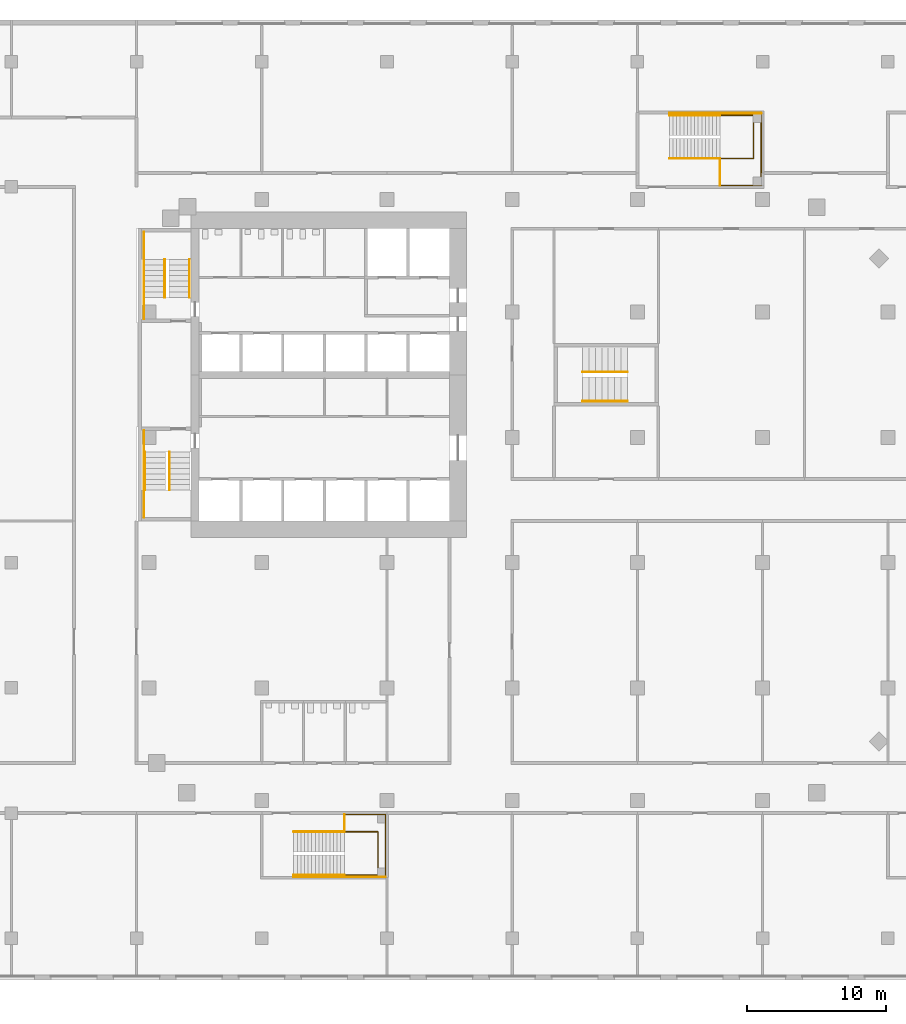
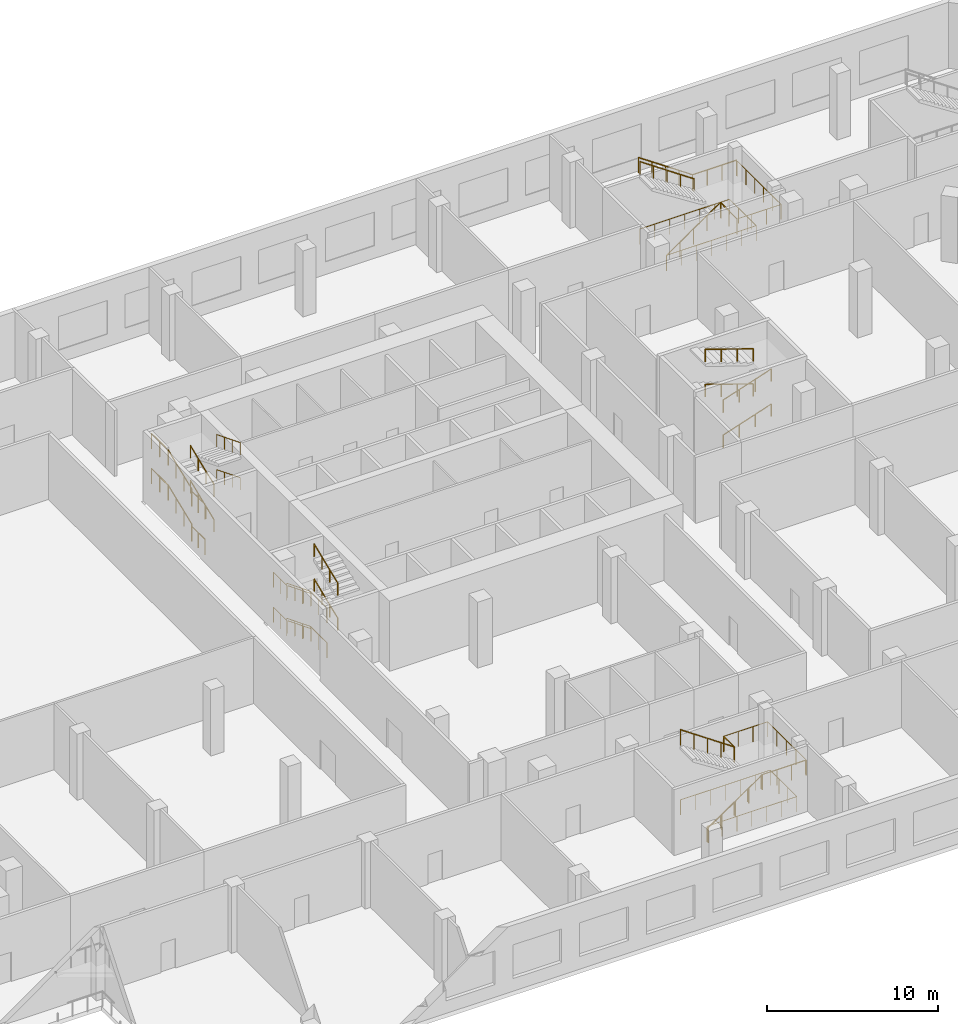
# One storey, part 19 of 21: 28 railings, 3 elements without a shape of their own.
"""IFC4 building model written with IfcOpenShell, lengths in metres."""

from ifc_helpers import new_model, si_unit, direction, frame, origin, origin_2d, place, context, subcontext, project, spatial, circle, extrude, material, type_object, element, aggregate, save


model = new_model("IFC4")

# Units and contexts
model_context = context("Model", 3, precision=1e-05, world=origin(), true_north=direction((0.0, 1.0)))
body_context = subcontext(model_context, "Body", "Model", "MODEL_VIEW")
ifc_project = project(units=[si_unit("LENGTHUNIT", "METRE"), si_unit("AREAUNIT", "SQUARE_METRE"), si_unit("VOLUMEUNIT", "CUBIC_METRE"), si_unit("PLANEANGLEUNIT", "RADIAN"), si_unit("MASSUNIT", "GRAM", prefix="KILO")], contexts=[model_context])

# Site, building, storey
site_placement = place(None, origin())
site = spatial("IfcSite", under=ifc_project, at=site_placement, CompositionType="ELEMENT")
building_placement = place(site_placement, origin())
building = spatial("IfcBuilding", under=site, at=building_placement, Name="Cinnabar Reach Civic Tower", CompositionType="ELEMENT")
storey_placement = place(building_placement, frame((0.0, 0.0, 11.0)))
storey = spatial("IfcBuildingStorey", under=building, at=storey_placement, Name="L02", CompositionType="ELEMENT", Elevation=11.0)

# Railings
ifc_material_1 = material(Name="Stainless steel and glass", Category="steel")
railing_type_1 = type_object("IfcRailingType", Name="Podium guard 1100", PredefinedType="GUARDRAIL", material=ifc_material_1)
railing_1_placement = place(storey_placement, frame((14.94, -1.35, 2.5)))
element("IfcRailing", 1, at=railing_1_placement, inside=storey, type_object=railing_type_1, Name="Stair guard PS3 L02", PredefinedType="GUARDRAIL", context=body_context, shape_type="SweptSolid", body=[
    extrude(circle(Radius=0.024, at=origin_2d()), frame((0.0, 0.0, 1.076), z_axis=(-0.824306135323, 0.0, 0.566144323711), x_axis=(0.0, -1.0, 0.0)), (0.0, 0.0, 1.0), 4.4158),
    extrude(circle(Radius=0.021, at=origin_2d()), origin(), (0.0, 0.0, 1.0), 1.052),
    extrude(circle(Radius=0.021, at=origin_2d()), frame((-0.91, 0.0, 0.625)), (0.0, 0.0, 1.0), 1.052),
    extrude(circle(Radius=0.021, at=origin_2d()), frame((-1.82, 0.0, 1.25)), (0.0, 0.0, 1.0), 1.052),
    extrude(circle(Radius=0.021, at=origin_2d()), frame((-2.73, 0.0, 1.875)), (0.0, 0.0, 1.0), 1.052),
    extrude(circle(Radius=0.021, at=origin_2d()), frame((-3.64, 0.0, 2.5)), (0.0, 0.0, 1.0), 1.052),
])
railing_2_placement = place(storey_placement, frame((14.94, -0.1, 2.5)))
element("IfcRailing", 2, at=railing_2_placement, inside=storey, type_object=railing_type_1, Name="Landing guard PS3 L02", PredefinedType="GUARDRAIL", context=body_context, shape_type="SweptSolid", body=[
    extrude(circle(Radius=0.024, at=origin_2d()), frame((0.0, 0.0, 1.076), z_axis=(1.0, 0.0, 0.0), x_axis=(0.0, 1.0, 0.0)), (0.0, 0.0, 1.0), 2.96),
    extrude(circle(Radius=0.024, at=origin_2d()), frame((2.96, 0.0, 1.076), z_axis=(0.0, -1.0, 0.0), x_axis=(1.0, 0.0, 0.0)), (0.0, 0.0, 1.0), 4.4),
    extrude(circle(Radius=0.021, at=origin_2d()), origin(), (0.0, 0.0, 1.0), 1.052),
    extrude(circle(Radius=0.021, at=origin_2d()), frame((0.9867, 0.0, 0.0)), (0.0, 0.0, 1.0), 1.052),
    extrude(circle(Radius=0.021, at=origin_2d()), frame((1.9733, 0.0, 0.0)), (0.0, 0.0, 1.0), 1.052),
    extrude(circle(Radius=0.021, at=origin_2d()), frame((2.96, 0.0, 0.0)), (0.0, 0.0, 1.0), 1.052),
    extrude(circle(Radius=0.021, at=origin_2d()), frame((2.96, -1.1, 0.0)), (0.0, 0.0, 1.0), 1.052),
    extrude(circle(Radius=0.021, at=origin_2d()), frame((2.96, -2.2, 0.0)), (0.0, 0.0, 1.0), 1.052),
    extrude(circle(Radius=0.021, at=origin_2d()), frame((2.96, -3.3, 0.0)), (0.0, 0.0, 1.0), 1.052),
    extrude(circle(Radius=0.021, at=origin_2d()), frame((2.96, -4.4, 0.0)), (0.0, 0.0, 1.0), 1.052),
])
railing_3_placement = place(storey_placement, frame((14.94, -1.3, 2.5)))
element("IfcRailing", 3, at=railing_3_placement, inside=storey, type_object=railing_type_1, Name="Landing guard PS3 L02 inner", PredefinedType="GUARDRAIL", context=body_context, shape_type="SweptSolid", body=[
    extrude(circle(Radius=0.024, at=origin_2d()), frame((0.0, 0.0, 1.076), z_axis=(0.0, 1.0, 0.0), x_axis=(-1.0, 0.0, 0.0)), (0.0, 0.0, 1.0), 1.2),
    extrude(circle(Radius=0.021, at=origin_2d()), origin(), (0.0, 0.0, 1.0), 1.052),
    extrude(circle(Radius=0.021, at=origin_2d()), frame((0.0, 1.2, 0.0)), (0.0, 0.0, 1.0), 1.052),
])
railing_4_placement = place(storey_placement, frame((11.3, -4.6, 0.0)))
element("IfcRailing", 4, at=railing_4_placement, inside=storey, type_object=railing_type_1, Name="Stair wall side guard PS3 L02", PredefinedType="GUARDRAIL", context=body_context, shape_type="SweptSolid", body=[
    extrude(circle(Radius=0.024, at=origin_2d()), frame((0.0, 0.0, 1.076), z_axis=(0.824306135323, 0.0, 0.566144323711), x_axis=(0.0, 1.0, 0.0)), (0.0, 0.0, 1.0), 4.4158),
    extrude(circle(Radius=0.024, at=origin_2d()), frame((3.64, 0.0, 3.576), z_axis=(1.0, 0.0, 0.0), x_axis=(0.0, 1.0, 0.0)), (0.0, 0.0, 1.0), 2.96),
    extrude(circle(Radius=0.021, at=origin_2d()), origin(), (0.0, 0.0, 1.0), 1.052),
    extrude(circle(Radius=0.021, at=origin_2d()), frame((0.91, 0.0, 0.625)), (0.0, 0.0, 1.0), 1.052),
    extrude(circle(Radius=0.021, at=origin_2d()), frame((1.82, 0.0, 1.25)), (0.0, 0.0, 1.0), 1.052),
    extrude(circle(Radius=0.021, at=origin_2d()), frame((2.73, 0.0, 1.875)), (0.0, 0.0, 1.0), 1.052),
    extrude(circle(Radius=0.021, at=origin_2d()), frame((3.64, 0.0, 2.5)), (0.0, 0.0, 1.0), 1.052),
    extrude(circle(Radius=0.021, at=origin_2d()), frame((4.6267, 0.0, 2.5)), (0.0, 0.0, 1.0), 1.052),
    extrude(circle(Radius=0.021, at=origin_2d()), frame((5.6133, 0.0, 2.5)), (0.0, 0.0, 1.0), 1.052),
    extrude(circle(Radius=0.021, at=origin_2d()), frame((6.6, 0.0, 2.5)), (0.0, 0.0, 1.0), 1.052),
])
railing_5_placement = place(storey_placement, frame((11.3, -4.45, 0.0)))
element("IfcRailing", 5, at=railing_5_placement, inside=storey, type_object=railing_type_1, Name="Stair well guard PS3 L02", PredefinedType="GUARDRAIL", context=body_context, shape_type="SweptSolid", body=[
    extrude(circle(Radius=0.024, at=origin_2d()), frame((0.0, 0.0, 1.076), z_axis=(1.0, 0.0, 0.0), x_axis=(0.0, 1.0, 0.0)), (0.0, 0.0, 1.0), 6.05),
    extrude(circle(Radius=0.024, at=origin_2d()), frame((6.05, 0.0, 1.076), z_axis=(0.0, 1.0, 0.0), x_axis=(-1.0, 0.0, 0.0)), (0.0, 0.0, 1.0), 3.1),
    extrude(circle(Radius=0.024, at=origin_2d()), frame((6.05, 3.1, 1.076), z_axis=(-1.0, 0.0, 0.0), x_axis=(0.0, -1.0, 0.0)), (0.0, 0.0, 1.0), 6.05),
    extrude(circle(Radius=0.021, at=origin_2d()), origin(), (0.0, 0.0, 1.0), 1.052),
    extrude(circle(Radius=0.021, at=origin_2d()), frame((1.0083, 0.0, 0.0)), (0.0, 0.0, 1.0), 1.052),
    extrude(circle(Radius=0.021, at=origin_2d()), frame((2.0167, 0.0, 0.0)), (0.0, 0.0, 1.0), 1.052),
    extrude(circle(Radius=0.021, at=origin_2d()), frame((3.025, 0.0, 0.0)), (0.0, 0.0, 1.0), 1.052),
    extrude(circle(Radius=0.021, at=origin_2d()), frame((4.0333, 0.0, 0.0)), (0.0, 0.0, 1.0), 1.052),
    extrude(circle(Radius=0.021, at=origin_2d()), frame((5.0417, 0.0, 0.0)), (0.0, 0.0, 1.0), 1.052),
    extrude(circle(Radius=0.021, at=origin_2d()), frame((6.05, 0.0, 0.0)), (0.0, 0.0, 1.0), 1.052),
    extrude(circle(Radius=0.021, at=origin_2d()), frame((6.05, 1.0333, 0.0)), (0.0, 0.0, 1.0), 1.052),
    extrude(circle(Radius=0.021, at=origin_2d()), frame((6.05, 2.0667, 0.0)), (0.0, 0.0, 1.0), 1.052),
    extrude(circle(Radius=0.021, at=origin_2d()), frame((6.05, 3.1, 0.0)), (0.0, 0.0, 1.0), 1.052),
    extrude(circle(Radius=0.021, at=origin_2d()), frame((5.0417, 3.1, 0.0)), (0.0, 0.0, 1.0), 1.052),
    extrude(circle(Radius=0.021, at=origin_2d()), frame((4.0333, 3.1, 0.0)), (0.0, 0.0, 1.0), 1.052),
    extrude(circle(Radius=0.021, at=origin_2d()), frame((3.025, 3.1, 0.0)), (0.0, 0.0, 1.0), 1.052),
    extrude(circle(Radius=0.021, at=origin_2d()), frame((2.0167, 3.1, 0.0)), (0.0, 0.0, 1.0), 1.052),
    extrude(circle(Radius=0.021, at=origin_2d()), frame((1.0083, 3.1, 0.0)), (0.0, 0.0, 1.0), 1.052),
    extrude(circle(Radius=0.021, at=origin_2d()), frame((0.0, 3.1, 0.0)), (0.0, 0.0, 1.0), 1.052),
])
railing_6_placement = place(storey_placement, frame((38.3, 47.05, 0.0)))
element("IfcRailing", 6, at=railing_6_placement, inside=storey, type_object=railing_type_1, Name="Stair guard PS6 L02", PredefinedType="GUARDRAIL", context=body_context, shape_type="SweptSolid", body=[
    extrude(circle(Radius=0.024, at=origin_2d()), frame((0.0, 0.0, 1.076), z_axis=(0.824306135323, 0.0, 0.566144323711), x_axis=(0.0, 1.0, 0.0)), (0.0, 0.0, 1.0), 4.4158),
    extrude(circle(Radius=0.021, at=origin_2d()), origin(), (0.0, 0.0, 1.0), 1.052),
    extrude(circle(Radius=0.021, at=origin_2d()), frame((0.91, 0.0, 0.625)), (0.0, 0.0, 1.0), 1.052),
    extrude(circle(Radius=0.021, at=origin_2d()), frame((1.82, 0.0, 1.25)), (0.0, 0.0, 1.0), 1.052),
    extrude(circle(Radius=0.021, at=origin_2d()), frame((2.73, 0.0, 1.875)), (0.0, 0.0, 1.0), 1.052),
    extrude(circle(Radius=0.021, at=origin_2d()), frame((3.64, 0.0, 2.5)), (0.0, 0.0, 1.0), 1.052),
])
railing_7_placement = place(storey_placement, frame((41.94, 45.1, 2.5)))
element("IfcRailing", 7, at=railing_7_placement, inside=storey, type_object=railing_type_1, Name="Landing guard PS6 L02", PredefinedType="GUARDRAIL", context=body_context, shape_type="SweptSolid", body=[
    extrude(circle(Radius=0.024, at=origin_2d()), frame((0.0, 0.0, 1.076), z_axis=(1.0, 0.0, 0.0), x_axis=(0.0, 1.0, 0.0)), (0.0, 0.0, 1.0), 2.96),
    extrude(circle(Radius=0.024, at=origin_2d()), frame((2.96, 0.0, 1.076), z_axis=(0.0, 1.0, 0.0), x_axis=(-1.0, 0.0, 0.0)), (0.0, 0.0, 1.0), 5.1),
    extrude(circle(Radius=0.021, at=origin_2d()), origin(), (0.0, 0.0, 1.0), 1.052),
    extrude(circle(Radius=0.021, at=origin_2d()), frame((0.9867, 0.0, 0.0)), (0.0, 0.0, 1.0), 1.052),
    extrude(circle(Radius=0.021, at=origin_2d()), frame((1.9733, 0.0, 0.0)), (0.0, 0.0, 1.0), 1.052),
    extrude(circle(Radius=0.021, at=origin_2d()), frame((2.96, 0.0, 0.0)), (0.0, 0.0, 1.0), 1.052),
    extrude(circle(Radius=0.021, at=origin_2d()), frame((2.96, 1.02, 0.0)), (0.0, 0.0, 1.0), 1.052),
    extrude(circle(Radius=0.021, at=origin_2d()), frame((2.96, 2.04, 0.0)), (0.0, 0.0, 1.0), 1.052),
    extrude(circle(Radius=0.021, at=origin_2d()), frame((2.96, 3.06, 0.0)), (0.0, 0.0, 1.0), 1.052),
    extrude(circle(Radius=0.021, at=origin_2d()), frame((2.96, 4.08, 0.0)), (0.0, 0.0, 1.0), 1.052),
    extrude(circle(Radius=0.021, at=origin_2d()), frame((2.96, 5.1, 0.0)), (0.0, 0.0, 1.0), 1.052),
])
railing_8_placement = place(storey_placement, frame((41.94, 45.1, 2.5)))
element("IfcRailing", 8, at=railing_8_placement, inside=storey, type_object=railing_type_1, Name="Landing guard PS6 L02 inner", PredefinedType="GUARDRAIL", context=body_context, shape_type="SweptSolid", body=[
    extrude(circle(Radius=0.024, at=origin_2d()), frame((0.0, 0.0, 1.076), z_axis=(0.0, 1.0, 0.0), x_axis=(-1.0, 0.0, 0.0)), (0.0, 0.0, 1.0), 1.9),
    extrude(circle(Radius=0.021, at=origin_2d()), origin(), (0.0, 0.0, 1.0), 1.052),
    extrude(circle(Radius=0.021, at=origin_2d()), frame((0.0, 0.95, 0.0)), (0.0, 0.0, 1.0), 1.052),
    extrude(circle(Radius=0.021, at=origin_2d()), frame((0.0, 1.9, 0.0)), (0.0, 0.0, 1.0), 1.052),
])
railing_9_placement = place(storey_placement, frame((44.9, 50.3, 2.5)))
element("IfcRailing", 9, at=railing_9_placement, inside=storey, type_object=railing_type_1, Name="Stair wall side guard PS6 L02", PredefinedType="GUARDRAIL", context=body_context, shape_type="SweptSolid", body=[
    extrude(circle(Radius=0.024, at=origin_2d()), frame((0.0, 0.0, 1.076), z_axis=(-1.0, 0.0, 0.0), x_axis=(0.0, -1.0, 0.0)), (0.0, 0.0, 1.0), 2.96),
    extrude(circle(Radius=0.024, at=origin_2d()), frame((-2.96, 0.0, 1.076), z_axis=(-0.824306135323, 0.0, 0.566144323711), x_axis=(0.0, -1.0, 0.0)), (0.0, 0.0, 1.0), 4.4158),
    extrude(circle(Radius=0.021, at=origin_2d()), origin(), (0.0, 0.0, 1.0), 1.052),
    extrude(circle(Radius=0.021, at=origin_2d()), frame((-0.9867, 0.0, 0.0)), (0.0, 0.0, 1.0), 1.052),
    extrude(circle(Radius=0.021, at=origin_2d()), frame((-1.9733, 0.0, 0.0)), (0.0, 0.0, 1.0), 1.052),
    extrude(circle(Radius=0.021, at=origin_2d()), frame((-2.96, 0.0, 0.0)), (0.0, 0.0, 1.0), 1.052),
    extrude(circle(Radius=0.021, at=origin_2d()), frame((-3.87, 0.0, 0.625)), (0.0, 0.0, 1.0), 1.052),
    extrude(circle(Radius=0.021, at=origin_2d()), frame((-4.78, 0.0, 1.25)), (0.0, 0.0, 1.0), 1.052),
    extrude(circle(Radius=0.021, at=origin_2d()), frame((-5.69, 0.0, 1.875)), (0.0, 0.0, 1.0), 1.052),
    extrude(circle(Radius=0.021, at=origin_2d()), frame((-6.6, 0.0, 2.5)), (0.0, 0.0, 1.0), 1.052),
])
railing_10_placement = place(storey_placement, frame((38.3, 47.05, 0.0)))
element("IfcRailing", 10, at=railing_10_placement, inside=storey, type_object=railing_type_1, Name="Stair well guard PS6 L02", PredefinedType="GUARDRAIL", context=body_context, shape_type="SweptSolid", body=[
    extrude(circle(Radius=0.024, at=origin_2d()), frame((0.0, 0.0, 1.076), z_axis=(1.0, 0.0, 0.0), x_axis=(0.0, 1.0, 0.0)), (0.0, 0.0, 1.0), 6.05),
    extrude(circle(Radius=0.024, at=origin_2d()), frame((6.05, 0.0, 1.076), z_axis=(0.0, 1.0, 0.0), x_axis=(-1.0, 0.0, 0.0)), (0.0, 0.0, 1.0), 3.1),
    extrude(circle(Radius=0.024, at=origin_2d()), frame((6.05, 3.1, 1.076), z_axis=(-1.0, 0.0, 0.0), x_axis=(0.0, -1.0, 0.0)), (0.0, 0.0, 1.0), 6.05),
    extrude(circle(Radius=0.021, at=origin_2d()), origin(), (0.0, 0.0, 1.0), 1.052),
    extrude(circle(Radius=0.021, at=origin_2d()), frame((1.0083, 0.0, 0.0)), (0.0, 0.0, 1.0), 1.052),
    extrude(circle(Radius=0.021, at=origin_2d()), frame((2.0167, 0.0, 0.0)), (0.0, 0.0, 1.0), 1.052),
    extrude(circle(Radius=0.021, at=origin_2d()), frame((3.025, 0.0, 0.0)), (0.0, 0.0, 1.0), 1.052),
    extrude(circle(Radius=0.021, at=origin_2d()), frame((4.0333, 0.0, 0.0)), (0.0, 0.0, 1.0), 1.052),
    extrude(circle(Radius=0.021, at=origin_2d()), frame((5.0417, 0.0, 0.0)), (0.0, 0.0, 1.0), 1.052),
    extrude(circle(Radius=0.021, at=origin_2d()), frame((6.05, 0.0, 0.0)), (0.0, 0.0, 1.0), 1.052),
    extrude(circle(Radius=0.021, at=origin_2d()), frame((6.05, 1.0333, 0.0)), (0.0, 0.0, 1.0), 1.052),
    extrude(circle(Radius=0.021, at=origin_2d()), frame((6.05, 2.0667, 0.0)), (0.0, 0.0, 1.0), 1.052),
    extrude(circle(Radius=0.021, at=origin_2d()), frame((6.05, 3.1, 0.0)), (0.0, 0.0, 1.0), 1.052),
    extrude(circle(Radius=0.021, at=origin_2d()), frame((5.0417, 3.1, 0.0)), (0.0, 0.0, 1.0), 1.052),
    extrude(circle(Radius=0.021, at=origin_2d()), frame((4.0333, 3.1, 0.0)), (0.0, 0.0, 1.0), 1.052),
    extrude(circle(Radius=0.021, at=origin_2d()), frame((3.025, 3.1, 0.0)), (0.0, 0.0, 1.0), 1.052),
    extrude(circle(Radius=0.021, at=origin_2d()), frame((2.0167, 3.1, 0.0)), (0.0, 0.0, 1.0), 1.052),
    extrude(circle(Radius=0.021, at=origin_2d()), frame((1.0083, 3.1, 0.0)), (0.0, 0.0, 1.0), 1.052),
    extrude(circle(Radius=0.021, at=origin_2d()), frame((0.0, 3.1, 0.0)), (0.0, 0.0, 1.0), 1.052),
])
ifc_material_2 = material(Name="Stainless steel", Category="steel")
railing_type_2 = type_object("IfcRailingType", Name="Podium stair handrail 900", PredefinedType="HANDRAIL", material=ifc_material_2)
railing_11_placement = place(storey_placement, frame((11.3, -4.45, 0.0)))
element("IfcRailing", 11, at=railing_11_placement, inside=storey, type_object=railing_type_2, Name="Stair handrail PS3 L02", PredefinedType="HANDRAIL", context=body_context, shape_type="SweptSolid", body=[
    extrude(circle(Radius=0.024, at=origin_2d()), frame((0.0, 0.0, 0.876), z_axis=(0.824306135323, 0.0, 0.566144323711), x_axis=(0.0, 1.0, 0.0)), (0.0, 0.0, 1.0), 4.4158),
    extrude(circle(Radius=0.021, at=origin_2d()), origin(), (0.0, 0.0, 1.0), 0.852),
    extrude(circle(Radius=0.021, at=origin_2d()), frame((0.91, 0.0, 0.625)), (0.0, 0.0, 1.0), 0.852),
    extrude(circle(Radius=0.021, at=origin_2d()), frame((1.82, 0.0, 1.25)), (0.0, 0.0, 1.0), 0.852),
    extrude(circle(Radius=0.021, at=origin_2d()), frame((2.73, 0.0, 1.875)), (0.0, 0.0, 1.0), 0.852),
    extrude(circle(Radius=0.021, at=origin_2d()), frame((3.64, 0.0, 2.5)), (0.0, 0.0, 1.0), 0.852),
])
railing_12_placement = place(storey_placement, frame((41.94, 50.15, 2.5)))
element("IfcRailing", 12, at=railing_12_placement, inside=storey, type_object=railing_type_2, Name="Stair handrail PS6 L02", PredefinedType="HANDRAIL", context=body_context, shape_type="SweptSolid", body=[
    extrude(circle(Radius=0.024, at=origin_2d()), frame((0.0, 0.0, 0.876), z_axis=(-0.824306135323, 0.0, 0.566144323711), x_axis=(0.0, -1.0, 0.0)), (0.0, 0.0, 1.0), 4.4158),
    extrude(circle(Radius=0.021, at=origin_2d()), origin(), (0.0, 0.0, 1.0), 0.852),
    extrude(circle(Radius=0.021, at=origin_2d()), frame((-0.91, 0.0, 0.625)), (0.0, 0.0, 1.0), 0.852),
    extrude(circle(Radius=0.021, at=origin_2d()), frame((-1.82, 0.0, 1.25)), (0.0, 0.0, 1.0), 0.852),
    extrude(circle(Radius=0.021, at=origin_2d()), frame((-2.73, 0.0, 1.875)), (0.0, 0.0, 1.0), 0.852),
    extrude(circle(Radius=0.021, at=origin_2d()), frame((-3.64, 0.0, 2.5)), (0.0, 0.0, 1.0), 0.852),
])

# Stair, railings
ifc_material_3 = material(Name="Concrete C40/50", Category="concrete")
stair_type = type_object("IfcStairType", Name="T1 Exit stair, double return", PredefinedType="DOUBLE_RETURN_STAIR", material=ifc_material_3)
stair_1_placement = place(storey_placement, origin())
stair_1 = element("IfcStair", 13, at=stair_1_placement, inside=storey, type_object=stair_type, Name="Stair T1-S1", PredefinedType="DOUBLE_RETURN_STAIR")
ifc_material_4 = material(Name="Stainless steel tube", Category="steel")
railing_type_3 = type_object("IfcRailingType", Name="T1 Stair handrail, stainless tube 48", PredefinedType="HANDRAIL", material=ifc_material_4)
railing_13_placement = place(storey_placement, frame((0.6, 25.95, 0.1562)))
railing_13 = element("IfcRailing", 14, at=railing_13_placement, type_object=railing_type_3, Name="T1-S1 handrail 1", PredefinedType="HANDRAIL", context=body_context, shape_type="SweptSolid", body=[
    extrude(circle(Radius=0.024, at=origin_2d()), frame((0.0, 0.0, 0.876), z_axis=(0.0, -0.928966009512, 0.370165035047), x_axis=(1.0, 0.0, 0.0)), (0.0, 0.0, 1.0), 2.9549),
    extrude(circle(Radius=0.021, at=origin_2d()), origin(), (0.0, 0.0, 1.0), 0.852),
    extrude(circle(Radius=0.021, at=origin_2d()), frame((0.0, -0.915, 0.3646)), (0.0, 0.0, 1.0), 0.852),
    extrude(circle(Radius=0.021, at=origin_2d()), frame((0.0, -1.83, 0.7292)), (0.0, 0.0, 1.0), 0.852),
    extrude(circle(Radius=0.021, at=origin_2d()), frame((0.0, -2.745, 1.0938)), (0.0, 0.0, 1.0), 0.852),
])
railing_14_placement = place(storey_placement, frame((2.375, 23.205, 1.4062)))
railing_14 = element("IfcRailing", 15, at=railing_14_placement, type_object=railing_type_3, Name="T1-S1 handrail 2", PredefinedType="HANDRAIL", context=body_context, shape_type="SweptSolid", body=[
    extrude(circle(Radius=0.024, at=origin_2d()), frame((0.0, 0.0, 0.876), z_axis=(0.0, 0.928966009512, 0.370165035047), x_axis=(-1.0, 0.0, 0.0)), (0.0, 0.0, 1.0), 2.9549),
    extrude(circle(Radius=0.021, at=origin_2d()), origin(), (0.0, 0.0, 1.0), 0.852),
    extrude(circle(Radius=0.021, at=origin_2d()), frame((0.0, 0.915, 0.3646)), (0.0, 0.0, 1.0), 0.852),
    extrude(circle(Radius=0.021, at=origin_2d()), frame((0.0, 1.83, 0.7292)), (0.0, 0.0, 1.0), 0.852),
    extrude(circle(Radius=0.021, at=origin_2d()), frame((0.0, 2.745, 1.0938)), (0.0, 0.0, 1.0), 0.852),
])
railing_15_placement = place(storey_placement, frame((0.6, 25.95, 2.6562)))
railing_15 = element("IfcRailing", 16, at=railing_15_placement, type_object=railing_type_3, Name="T1-S1 handrail 3", PredefinedType="HANDRAIL", context=body_context, shape_type="SweptSolid", body=[
    extrude(circle(Radius=0.024, at=origin_2d()), frame((0.0, 0.0, 0.876), z_axis=(0.0, -0.928966009512, 0.370165035047), x_axis=(1.0, 0.0, 0.0)), (0.0, 0.0, 1.0), 2.9549),
    extrude(circle(Radius=0.021, at=origin_2d()), origin(), (0.0, 0.0, 1.0), 0.852),
    extrude(circle(Radius=0.021, at=origin_2d()), frame((0.0, -0.915, 0.3646)), (0.0, 0.0, 1.0), 0.852),
    extrude(circle(Radius=0.021, at=origin_2d()), frame((0.0, -1.83, 0.7292)), (0.0, 0.0, 1.0), 0.852),
    extrude(circle(Radius=0.021, at=origin_2d()), frame((0.0, -2.745, 1.0938)), (0.0, 0.0, 1.0), 0.852),
])
railing_16_placement = place(storey_placement, frame((2.375, 23.205, 3.9062)))
railing_16 = element("IfcRailing", 17, at=railing_16_placement, type_object=railing_type_3, Name="T1-S1 handrail 4", PredefinedType="HANDRAIL", context=body_context, shape_type="SweptSolid", body=[
    extrude(circle(Radius=0.024, at=origin_2d()), frame((0.0, 0.0, 0.876), z_axis=(0.0, 0.928966009512, 0.370165035047), x_axis=(-1.0, 0.0, 0.0)), (0.0, 0.0, 1.0), 2.9549),
    extrude(circle(Radius=0.021, at=origin_2d()), origin(), (0.0, 0.0, 1.0), 0.852),
    extrude(circle(Radius=0.021, at=origin_2d()), frame((0.0, 0.915, 0.3646)), (0.0, 0.0, 1.0), 0.852),
    extrude(circle(Radius=0.021, at=origin_2d()), frame((0.0, 1.83, 0.7292)), (0.0, 0.0, 1.0), 0.852),
    extrude(circle(Radius=0.021, at=origin_2d()), frame((0.0, 2.745, 1.0938)), (0.0, 0.0, 1.0), 0.852),
])

stair_2_placement = place(storey_placement, origin())
stair_2 = element("IfcStair", 18, at=stair_2_placement, inside=storey, type_object=stair_type, Name="Stair T1-S2", PredefinedType="DOUBLE_RETURN_STAIR")
railing_17_placement = place(storey_placement, frame((2.025, 37.05, 0.1562)))
railing_17 = element("IfcRailing", 19, at=railing_17_placement, type_object=railing_type_3, Name="T1-S2 handrail 1", PredefinedType="HANDRAIL", context=body_context, shape_type="SweptSolid", body=[
    extrude(circle(Radius=0.024, at=origin_2d()), frame((0.0, 0.0, 0.876), z_axis=(0.0, 0.928966009512, 0.370165035047), x_axis=(-1.0, 0.0, 0.0)), (0.0, 0.0, 1.0), 2.9549),
    extrude(circle(Radius=0.021, at=origin_2d()), origin(), (0.0, 0.0, 1.0), 0.852),
    extrude(circle(Radius=0.021, at=origin_2d()), frame((0.0, 0.915, 0.3646)), (0.0, 0.0, 1.0), 0.852),
    extrude(circle(Radius=0.021, at=origin_2d()), frame((0.0, 1.83, 0.7292)), (0.0, 0.0, 1.0), 0.852),
    extrude(circle(Radius=0.021, at=origin_2d()), frame((0.0, 2.745, 1.0938)), (0.0, 0.0, 1.0), 0.852),
])
railing_18_placement = place(storey_placement, frame((3.8, 39.795, 1.4062)))
railing_18 = element("IfcRailing", 20, at=railing_18_placement, type_object=railing_type_3, Name="T1-S2 handrail 2", PredefinedType="HANDRAIL", context=body_context, shape_type="SweptSolid", body=[
    extrude(circle(Radius=0.024, at=origin_2d()), frame((0.0, 0.0, 0.876), z_axis=(0.0, -0.928966009512, 0.370165035047), x_axis=(1.0, 0.0, 0.0)), (0.0, 0.0, 1.0), 2.9549),
    extrude(circle(Radius=0.021, at=origin_2d()), origin(), (0.0, 0.0, 1.0), 0.852),
    extrude(circle(Radius=0.021, at=origin_2d()), frame((0.0, -0.915, 0.3646)), (0.0, 0.0, 1.0), 0.852),
    extrude(circle(Radius=0.021, at=origin_2d()), frame((0.0, -1.83, 0.7292)), (0.0, 0.0, 1.0), 0.852),
    extrude(circle(Radius=0.021, at=origin_2d()), frame((0.0, -2.745, 1.0938)), (0.0, 0.0, 1.0), 0.852),
])
railing_19_placement = place(storey_placement, frame((2.025, 37.05, 2.6562)))
railing_19 = element("IfcRailing", 21, at=railing_19_placement, type_object=railing_type_3, Name="T1-S2 handrail 3", PredefinedType="HANDRAIL", context=body_context, shape_type="SweptSolid", body=[
    extrude(circle(Radius=0.024, at=origin_2d()), frame((0.0, 0.0, 0.876), z_axis=(0.0, 0.928966009512, 0.370165035047), x_axis=(-1.0, 0.0, 0.0)), (0.0, 0.0, 1.0), 2.9549),
    extrude(circle(Radius=0.021, at=origin_2d()), origin(), (0.0, 0.0, 1.0), 0.852),
    extrude(circle(Radius=0.021, at=origin_2d()), frame((0.0, 0.915, 0.3646)), (0.0, 0.0, 1.0), 0.852),
    extrude(circle(Radius=0.021, at=origin_2d()), frame((0.0, 1.83, 0.7292)), (0.0, 0.0, 1.0), 0.852),
    extrude(circle(Radius=0.021, at=origin_2d()), frame((0.0, 2.745, 1.0938)), (0.0, 0.0, 1.0), 0.852),
])
railing_20_placement = place(storey_placement, frame((3.8, 39.795, 3.9062)))
railing_20 = element("IfcRailing", 22, at=railing_20_placement, type_object=railing_type_3, Name="T1-S2 handrail 4", PredefinedType="HANDRAIL", context=body_context, shape_type="SweptSolid", body=[
    extrude(circle(Radius=0.024, at=origin_2d()), frame((0.0, 0.0, 0.876), z_axis=(0.0, -0.928966009512, 0.370165035047), x_axis=(1.0, 0.0, 0.0)), (0.0, 0.0, 1.0), 2.9549),
    extrude(circle(Radius=0.021, at=origin_2d()), origin(), (0.0, 0.0, 1.0), 0.852),
    extrude(circle(Radius=0.021, at=origin_2d()), frame((0.0, -0.915, 0.3646)), (0.0, 0.0, 1.0), 0.852),
    extrude(circle(Radius=0.021, at=origin_2d()), frame((0.0, -1.83, 0.7292)), (0.0, 0.0, 1.0), 0.852),
    extrude(circle(Radius=0.021, at=origin_2d()), frame((0.0, -2.745, 1.0938)), (0.0, 0.0, 1.0), 0.852),
])

stair_3_placement = place(storey_placement, origin())
stair_3 = element("IfcStair", 23, at=stair_3_placement, inside=storey, type_object=stair_type, Name="Stair T1-S3", PredefinedType="DOUBLE_RETURN_STAIR")
railing_21_placement = place(storey_placement, frame((32.05, 29.6, 0.1562)))
railing_21 = element("IfcRailing", 24, at=railing_21_placement, type_object=railing_type_3, Name="T1-S3 handrail 1", PredefinedType="HANDRAIL", context=body_context, shape_type="SweptSolid", body=[
    extrude(circle(Radius=0.024, at=origin_2d()), frame((0.0, 0.0, 0.876), z_axis=(0.947465695108, 0.0, 0.319857400404), x_axis=(0.0, 1.0, 0.0)), (0.0, 0.0, 1.0), 3.4196),
    extrude(circle(Radius=0.021, at=origin_2d()), origin(), (0.0, 0.0, 1.0), 0.852),
    extrude(circle(Radius=0.021, at=origin_2d()), frame((1.08, 0.0, 0.3646)), (0.0, 0.0, 1.0), 0.852),
    extrude(circle(Radius=0.021, at=origin_2d()), frame((2.16, 0.0, 0.7292)), (0.0, 0.0, 1.0), 0.852),
    extrude(circle(Radius=0.021, at=origin_2d()), frame((3.24, 0.0, 1.0938)), (0.0, 0.0, 1.0), 0.852),
])
railing_22_placement = place(storey_placement, frame((35.29, 31.7, 1.4062)))
railing_22 = element("IfcRailing", 25, at=railing_22_placement, type_object=railing_type_3, Name="T1-S3 handrail 2", PredefinedType="HANDRAIL", context=body_context, shape_type="SweptSolid", body=[
    extrude(circle(Radius=0.024, at=origin_2d()), frame((0.0, 0.0, 0.876), z_axis=(-0.947465695108, 0.0, 0.319857400404), x_axis=(0.0, -1.0, 0.0)), (0.0, 0.0, 1.0), 3.4196),
    extrude(circle(Radius=0.021, at=origin_2d()), origin(), (0.0, 0.0, 1.0), 0.852),
    extrude(circle(Radius=0.021, at=origin_2d()), frame((-1.08, 0.0, 0.3646)), (0.0, 0.0, 1.0), 0.852),
    extrude(circle(Radius=0.021, at=origin_2d()), frame((-2.16, 0.0, 0.7292)), (0.0, 0.0, 1.0), 0.852),
    extrude(circle(Radius=0.021, at=origin_2d()), frame((-3.24, 0.0, 1.0938)), (0.0, 0.0, 1.0), 0.852),
])
railing_23_placement = place(storey_placement, frame((32.05, 29.6, 2.6562)))
railing_23 = element("IfcRailing", 26, at=railing_23_placement, type_object=railing_type_3, Name="T1-S3 handrail 3", PredefinedType="HANDRAIL", context=body_context, shape_type="SweptSolid", body=[
    extrude(circle(Radius=0.024, at=origin_2d()), frame((0.0, 0.0, 0.876), z_axis=(0.947465695108, 0.0, 0.319857400404), x_axis=(0.0, 1.0, 0.0)), (0.0, 0.0, 1.0), 3.4196),
    extrude(circle(Radius=0.021, at=origin_2d()), origin(), (0.0, 0.0, 1.0), 0.852),
    extrude(circle(Radius=0.021, at=origin_2d()), frame((1.08, 0.0, 0.3646)), (0.0, 0.0, 1.0), 0.852),
    extrude(circle(Radius=0.021, at=origin_2d()), frame((2.16, 0.0, 0.7292)), (0.0, 0.0, 1.0), 0.852),
    extrude(circle(Radius=0.021, at=origin_2d()), frame((3.24, 0.0, 1.0938)), (0.0, 0.0, 1.0), 0.852),
])
railing_24_placement = place(storey_placement, frame((35.29, 31.7, 3.9062)))
railing_24 = element("IfcRailing", 27, at=railing_24_placement, type_object=railing_type_3, Name="T1-S3 handrail 4", PredefinedType="HANDRAIL", context=body_context, shape_type="SweptSolid", body=[
    extrude(circle(Radius=0.024, at=origin_2d()), frame((0.0, 0.0, 0.876), z_axis=(-0.947465695108, 0.0, 0.319857400404), x_axis=(0.0, -1.0, 0.0)), (0.0, 0.0, 1.0), 3.4196),
    extrude(circle(Radius=0.021, at=origin_2d()), origin(), (0.0, 0.0, 1.0), 0.852),
    extrude(circle(Radius=0.021, at=origin_2d()), frame((-1.08, 0.0, 0.3646)), (0.0, 0.0, 1.0), 0.852),
    extrude(circle(Radius=0.021, at=origin_2d()), frame((-2.16, 0.0, 0.7292)), (0.0, 0.0, 1.0), 0.852),
    extrude(circle(Radius=0.021, at=origin_2d()), frame((-3.24, 0.0, 1.0938)), (0.0, 0.0, 1.0), 0.852),
])
aggregate(stair_3, [railing_21, railing_22, railing_23, railing_24])

# Railing
ifc_material_5 = material(Name="Stainless steel and laminated glass", Category="steel")
railing_type_4 = type_object("IfcRailingType", Name="T1 stair guard, stainless balustrade 1100", PredefinedType="GUARDRAIL", material=ifc_material_5)
railing_25_placement = place(storey_placement, frame((0.53, 27.5, 0.0)))
railing_25 = element("IfcRailing", 28, at=railing_25_placement, type_object=railing_type_4, Name="T1-S1 guard 1", PredefinedType="GUARDRAIL", context=body_context, shape_type="SweptSolid", body=[
    extrude(circle(Radius=0.024, at=origin_2d()), frame((0.0, 0.0, 1.076), z_axis=(0.0, -1.0, 0.0), x_axis=(1.0, 0.0, 0.0)), (0.0, 0.0, 1.0), 1.55),
    extrude(circle(Radius=0.024, at=origin_2d()), frame((0.0, -1.55, 1.076), z_axis=(0.0, 0.0, 1.0), x_axis=(1.0, 0.0, 0.0)), (0.0, 0.0, 1.0), 0.1562),
    extrude(circle(Radius=0.024, at=origin_2d()), frame((0.0, -1.55, 1.2322), z_axis=(0.0, -0.928966009512, 0.370165035047), x_axis=(1.0, 0.0, 0.0)), (0.0, 0.0, 1.0), 2.9549),
    extrude(circle(Radius=0.024, at=origin_2d()), frame((0.0, -4.295, 2.326), z_axis=(0.0, -1.0, 0.0), x_axis=(1.0, 0.0, 0.0)), (0.0, 0.0, 1.0), 1.955),
    extrude(circle(Radius=0.021, at=origin_2d()), origin(), (0.0, 0.0, 1.0), 1.052),
    extrude(circle(Radius=0.021, at=origin_2d()), frame((0.0, -0.775, 0.0)), (0.0, 0.0, 1.0), 1.052),
    extrude(circle(Radius=0.021, at=origin_2d()), frame((0.0, -1.55, 0.0)), (0.0, 0.0, 1.0), 1.052),
    extrude(circle(Radius=0.021, at=origin_2d()), frame((0.0, -1.55, 0.1562)), (0.0, 0.0, 1.0), 1.052),
    extrude(circle(Radius=0.021, at=origin_2d()), frame((0.0, -2.465, 0.5208)), (0.0, 0.0, 1.0), 1.052),
    extrude(circle(Radius=0.021, at=origin_2d()), frame((0.0, -3.38, 0.8854)), (0.0, 0.0, 1.0), 1.052),
    extrude(circle(Radius=0.021, at=origin_2d()), frame((0.0, -4.295, 1.25)), (0.0, 0.0, 1.0), 1.052),
    extrude(circle(Radius=0.021, at=origin_2d()), frame((0.0, -5.2725, 1.25)), (0.0, 0.0, 1.0), 1.052),
    extrude(circle(Radius=0.021, at=origin_2d()), frame((0.0, -6.25, 1.25)), (0.0, 0.0, 1.0), 1.052),
])

railing_26_placement = place(storey_placement, frame((0.53, 27.5, 2.5)))
railing_26 = element("IfcRailing", 29, at=railing_26_placement, type_object=railing_type_4, Name="T1-S1 guard 2", PredefinedType="GUARDRAIL", context=body_context, shape_type="SweptSolid", body=[
    extrude(circle(Radius=0.024, at=origin_2d()), frame((0.0, 0.0, 1.076), z_axis=(0.0, -1.0, 0.0), x_axis=(1.0, 0.0, 0.0)), (0.0, 0.0, 1.0), 1.55),
    extrude(circle(Radius=0.024, at=origin_2d()), frame((0.0, -1.55, 1.076), z_axis=(0.0, 0.0, 1.0), x_axis=(1.0, 0.0, 0.0)), (0.0, 0.0, 1.0), 0.1562),
    extrude(circle(Radius=0.024, at=origin_2d()), frame((0.0, -1.55, 1.2322), z_axis=(0.0, -0.928966009512, 0.370165035047), x_axis=(1.0, 0.0, 0.0)), (0.0, 0.0, 1.0), 2.9549),
    extrude(circle(Radius=0.024, at=origin_2d()), frame((0.0, -4.295, 2.326), z_axis=(0.0, -1.0, 0.0), x_axis=(1.0, 0.0, 0.0)), (0.0, 0.0, 1.0), 1.955),
    extrude(circle(Radius=0.021, at=origin_2d()), origin(), (0.0, 0.0, 1.0), 1.052),
    extrude(circle(Radius=0.021, at=origin_2d()), frame((0.0, -0.775, 0.0)), (0.0, 0.0, 1.0), 1.052),
    extrude(circle(Radius=0.021, at=origin_2d()), frame((0.0, -1.55, 0.0)), (0.0, 0.0, 1.0), 1.052),
    extrude(circle(Radius=0.021, at=origin_2d()), frame((0.0, -1.55, 0.1562)), (0.0, 0.0, 1.0), 1.052),
    extrude(circle(Radius=0.021, at=origin_2d()), frame((0.0, -2.465, 0.5208)), (0.0, 0.0, 1.0), 1.052),
    extrude(circle(Radius=0.021, at=origin_2d()), frame((0.0, -3.38, 0.8854)), (0.0, 0.0, 1.0), 1.052),
    extrude(circle(Radius=0.021, at=origin_2d()), frame((0.0, -4.295, 1.25)), (0.0, 0.0, 1.0), 1.052),
    extrude(circle(Radius=0.021, at=origin_2d()), frame((0.0, -5.2725, 1.25)), (0.0, 0.0, 1.0), 1.052),
    extrude(circle(Radius=0.021, at=origin_2d()), frame((0.0, -6.25, 1.25)), (0.0, 0.0, 1.0), 1.052),
])

aggregate(stair_1, [railing_13, railing_14, railing_15, railing_16, railing_25, railing_26])

railing_27_placement = place(storey_placement, frame((0.53, 35.5, 0.0)))
railing_27 = element("IfcRailing", 30, at=railing_27_placement, type_object=railing_type_4, Name="T1-S2 guard 1", PredefinedType="GUARDRAIL", context=body_context, shape_type="SweptSolid", body=[
    extrude(circle(Radius=0.024, at=origin_2d()), frame((0.0, 0.0, 1.076), z_axis=(0.0, 1.0, 0.0), x_axis=(-1.0, 0.0, 0.0)), (0.0, 0.0, 1.0), 1.55),
    extrude(circle(Radius=0.024, at=origin_2d()), frame((0.0, 1.55, 1.076), z_axis=(0.0, 0.0, 1.0), x_axis=(1.0, 0.0, 0.0)), (0.0, 0.0, 1.0), 0.1562),
    extrude(circle(Radius=0.024, at=origin_2d()), frame((0.0, 1.55, 1.2322), z_axis=(0.0, 0.928966009512, 0.370165035047), x_axis=(-1.0, 0.0, 0.0)), (0.0, 0.0, 1.0), 2.9549),
    extrude(circle(Radius=0.024, at=origin_2d()), frame((0.0, 4.295, 2.326), z_axis=(0.0, 1.0, 0.0), x_axis=(-1.0, 0.0, 0.0)), (0.0, 0.0, 1.0), 1.955),
    extrude(circle(Radius=0.021, at=origin_2d()), origin(), (0.0, 0.0, 1.0), 1.052),
    extrude(circle(Radius=0.021, at=origin_2d()), frame((0.0, 0.775, 0.0)), (0.0, 0.0, 1.0), 1.052),
    extrude(circle(Radius=0.021, at=origin_2d()), frame((0.0, 1.55, 0.0)), (0.0, 0.0, 1.0), 1.052),
    extrude(circle(Radius=0.021, at=origin_2d()), frame((0.0, 1.55, 0.1562)), (0.0, 0.0, 1.0), 1.052),
    extrude(circle(Radius=0.021, at=origin_2d()), frame((0.0, 2.465, 0.5208)), (0.0, 0.0, 1.0), 1.052),
    extrude(circle(Radius=0.021, at=origin_2d()), frame((0.0, 3.38, 0.8854)), (0.0, 0.0, 1.0), 1.052),
    extrude(circle(Radius=0.021, at=origin_2d()), frame((0.0, 4.295, 1.25)), (0.0, 0.0, 1.0), 1.052),
    extrude(circle(Radius=0.021, at=origin_2d()), frame((0.0, 5.2725, 1.25)), (0.0, 0.0, 1.0), 1.052),
    extrude(circle(Radius=0.021, at=origin_2d()), frame((0.0, 6.25, 1.25)), (0.0, 0.0, 1.0), 1.052),
])

railing_28_placement = place(storey_placement, frame((0.53, 35.5, 2.5)))
railing_28 = element("IfcRailing", 31, at=railing_28_placement, type_object=railing_type_4, Name="T1-S2 guard 2", PredefinedType="GUARDRAIL", context=body_context, shape_type="SweptSolid", body=[
    extrude(circle(Radius=0.024, at=origin_2d()), frame((0.0, 0.0, 1.076), z_axis=(0.0, 1.0, 0.0), x_axis=(-1.0, 0.0, 0.0)), (0.0, 0.0, 1.0), 1.55),
    extrude(circle(Radius=0.024, at=origin_2d()), frame((0.0, 1.55, 1.076), z_axis=(0.0, 0.0, 1.0), x_axis=(1.0, 0.0, 0.0)), (0.0, 0.0, 1.0), 0.1562),
    extrude(circle(Radius=0.024, at=origin_2d()), frame((0.0, 1.55, 1.2322), z_axis=(0.0, 0.928966009512, 0.370165035047), x_axis=(-1.0, 0.0, 0.0)), (0.0, 0.0, 1.0), 2.9549),
    extrude(circle(Radius=0.024, at=origin_2d()), frame((0.0, 4.295, 2.326), z_axis=(0.0, 1.0, 0.0), x_axis=(-1.0, 0.0, 0.0)), (0.0, 0.0, 1.0), 1.955),
    extrude(circle(Radius=0.021, at=origin_2d()), origin(), (0.0, 0.0, 1.0), 1.052),
    extrude(circle(Radius=0.021, at=origin_2d()), frame((0.0, 0.775, 0.0)), (0.0, 0.0, 1.0), 1.052),
    extrude(circle(Radius=0.021, at=origin_2d()), frame((0.0, 1.55, 0.0)), (0.0, 0.0, 1.0), 1.052),
    extrude(circle(Radius=0.021, at=origin_2d()), frame((0.0, 1.55, 0.1562)), (0.0, 0.0, 1.0), 1.052),
    extrude(circle(Radius=0.021, at=origin_2d()), frame((0.0, 2.465, 0.5208)), (0.0, 0.0, 1.0), 1.052),
    extrude(circle(Radius=0.021, at=origin_2d()), frame((0.0, 3.38, 0.8854)), (0.0, 0.0, 1.0), 1.052),
    extrude(circle(Radius=0.021, at=origin_2d()), frame((0.0, 4.295, 1.25)), (0.0, 0.0, 1.0), 1.052),
    extrude(circle(Radius=0.021, at=origin_2d()), frame((0.0, 5.2725, 1.25)), (0.0, 0.0, 1.0), 1.052),
    extrude(circle(Radius=0.021, at=origin_2d()), frame((0.0, 6.25, 1.25)), (0.0, 0.0, 1.0), 1.052),
])

aggregate(stair_2, [railing_17, railing_18, railing_19, railing_20, railing_27, railing_28])

save(model, "model.ifc")
